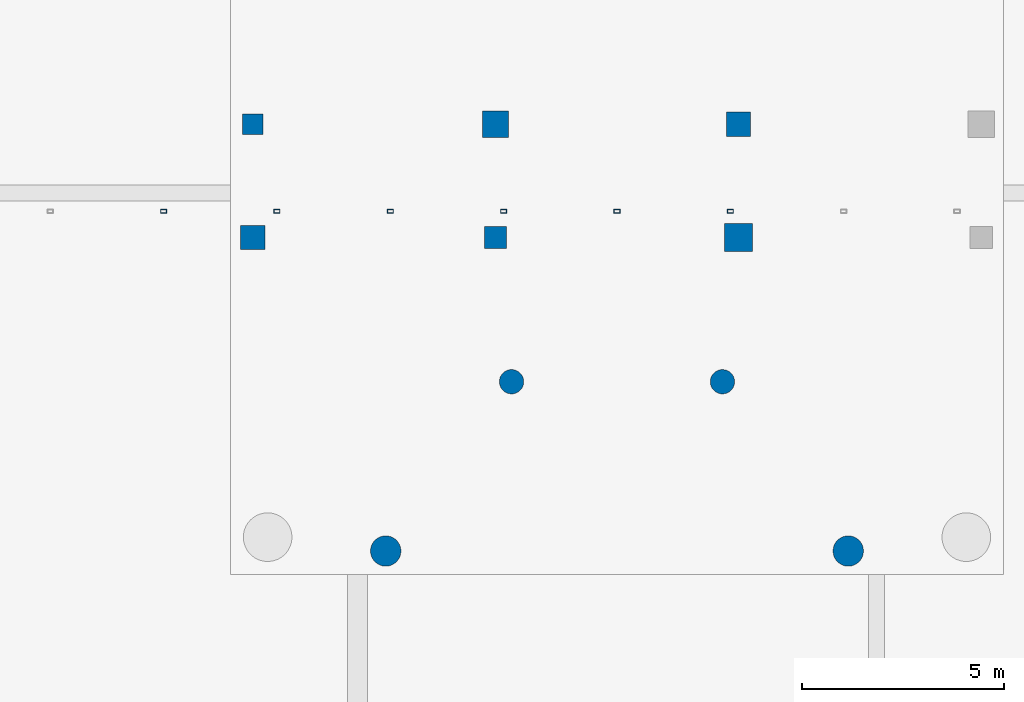
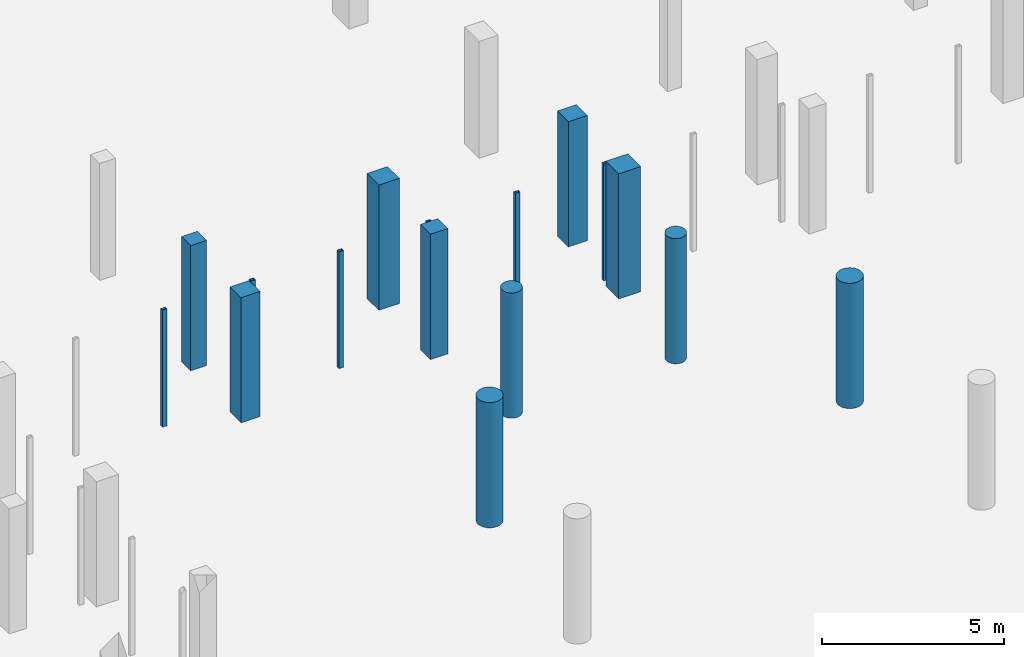
# One storey, part 18 of 34: 16 columns.
"""IFC4 building model written with IfcOpenShell, lengths in metres."""

from ifc_helpers import new_model, si_unit, direction, frame, origin, origin_2d, place, context, subcontext, project, spatial, rectangle, hollow_rectangle, circle, extrude, material, material_profile, profile_set, type_object, element, save


model = new_model("IFC4")

# Units and contexts
model_context = context("Model", 3, precision=1e-05, world=origin(), true_north=direction((0.0, 1.0)))
body_context = subcontext(model_context, "Body", "Model", "MODEL_VIEW")
ifc_project = project(units=[si_unit("LENGTHUNIT", "METRE"), si_unit("AREAUNIT", "SQUARE_METRE"), si_unit("VOLUMEUNIT", "CUBIC_METRE"), si_unit("PLANEANGLEUNIT", "RADIAN"), si_unit("MASSUNIT", "GRAM", prefix="KILO")], contexts=[model_context])

# Site, building, storey
site_placement = place(None, origin())
site = spatial("IfcSite", under=ifc_project, at=site_placement, CompositionType="ELEMENT")
building_placement = place(site_placement, origin())
building = spatial("IfcBuilding", under=site, at=building_placement, Name="Vinh Khe Railworks Police Headquarters", CompositionType="ELEMENT")
storey_placement = place(building_placement, frame((0.0, 0.0, -4.199951171875)))
storey = spatial("IfcBuildingStorey", under=building, at=storey_placement, Name="B1", CompositionType="ELEMENT", Elevation=-4.199951171875)

# Columns
ifc_material_1 = material(Name="Steel S355JR", Category="steel")
ifc_material_profile_1 = material_profile(ifc_material_1, hollow_rectangle(XDim=0.14990234375, YDim=0.10009765625, WallThickness=0.008056640625, at=origin_2d()), Name="RHS 150x100x8")
ifc_profile_set_1 = profile_set([ifc_material_profile_1], Name="Steel S355JR")
column_type_1 = type_object("IfcColumnType", Name="COL-QUILT-POST", PredefinedType="COLUMN", material=ifc_profile_set_1)
for number, where, z_axis, x_axis, name in (
    (1, (32.0, 59.449951171875, 0.0), (0.0, 0.0, 1.0), (1.0, 0.0, 0.0), "Patchwork Quilt Plinth Column N-3 (B1)"),
    (2, (34.800048828125, 59.449951171875, 0.0), (0.0, 0.0, 1.0), (1.0, 0.0, 0.0), "Patchwork Quilt Plinth Column N-4 (B1)"),
    (3, (37.60009765625, 59.449951171875, 0.0), (0.0, 0.0, 1.0), (1.0, 0.0, 0.0), "Patchwork Quilt Plinth Column N-5 (B1)"),
    (4, (40.39990234375, 59.449951171875, 0.0), (0.0, 0.0, 1.0), (1.0, 0.0, 0.0), "Patchwork Quilt Plinth Column N-6 (B1)"),
    (5, (43.199951171875, 59.449951171875, 0.0), (0.0, 0.0, 1.0), (1.0, 0.0, 0.0), "Patchwork Quilt Plinth Column N-7 (B1)"),
    (6, (46.0, 59.449951171875, 0.0), (0.0, 0.0, 1.0), (1.0, 0.0, 0.0), "Patchwork Quilt Plinth Column N-8 (B1)"),
):
    element("IfcColumn", number, at=place(storey_placement, frame(where, z_axis=z_axis, x_axis=x_axis)), inside=storey, type_object=column_type_1, Name=name, PredefinedType="COLUMN", context=body_context, shape_type="SweptSolid", body=[
        extrude(hollow_rectangle(XDim=0.14990234375, YDim=0.10009765625, WallThickness=0.008056640625, at=origin_2d()), origin(), (0.0, 0.0, 1.0), 3.919921875),
    ])
ifc_material_2 = material(Name="Concrete C40/50 (B40)", Category="concrete")
ifc_material_profile_2 = material_profile(ifc_material_2, rectangle(XDim=0.5, YDim=0.5, at=origin_2d()), Name="RC 500x500")
ifc_profile_set_2 = profile_set([ifc_material_profile_2], Name="Concrete C40/50 (B40)")
column_type_2 = type_object("IfcColumnType", Name="RC Column RC 500x500", PredefinedType="COLUMN", material=ifc_profile_set_2)
column_1_placement = place(storey_placement, frame((34.199951171875, 61.60009765625, 0.0), z_axis=(0.0, 0.0, 1.0), x_axis=(1.0, 0.0, 0.0)))
element("IfcColumn", 7, at=column_1_placement, inside=storey, type_object=column_type_2, Name="Column COL-B1-CC-07-0799", PredefinedType="COLUMN", context=body_context, shape_type="SweptSolid", body=[
    extrude(rectangle(XDim=0.5, YDim=0.5, at=origin_2d()), origin(), (0.0, 0.0, 1.0), 4.199951171875),
])
ifc_material_profile_3 = material_profile(ifc_material_2, rectangle(XDim=0.550048828125, YDim=0.550048828125, at=origin_2d()), Name="RC 550x550")
ifc_profile_set_3 = profile_set([ifc_material_profile_3], Name="Concrete C40/50 (B40)")
column_type_3 = type_object("IfcColumnType", Name="RC Column RC 550x550", PredefinedType="COLUMN", material=ifc_profile_set_3)
column_2_placement = place(storey_placement, frame((40.199951171875, 58.800048828125, 0.0), z_axis=(0.0, 0.0, 1.0), x_axis=(1.0, 0.0, 0.0)))
element("IfcColumn", 8, at=column_2_placement, inside=storey, type_object=column_type_3, Name="Column COL-B1-CC-06-0863", PredefinedType="COLUMN", context=body_context, shape_type="SweptSolid", body=[
    extrude(rectangle(XDim=0.550048828125, YDim=0.550048828125, at=origin_2d()), origin(), (0.0, 0.0, 1.0), 4.199951171875),
])
ifc_material_profile_4 = material_profile(ifc_material_2, rectangle(XDim=0.60009765625, YDim=0.60009765625, at=origin_2d()), Name="RC 600x600")
ifc_profile_set_4 = profile_set([ifc_material_profile_4], Name="Concrete C40/50 (B40)")
column_type_4 = type_object("IfcColumnType", Name="RC Column RC 600x600", PredefinedType="COLUMN", material=ifc_profile_set_4)
for number, where, z_axis, x_axis, name in (
    (9, (34.199951171875, 58.800048828125, 0.0), (0.0, 0.0, 1.0), (1.0, 0.0, 0.0), "Column COL-B1-CC-05-0794"),
    (10, (46.199951171875, 61.60009765625, 0.0), (0.0, 0.0, 1.0), (1.0, 0.0, 0.0), "Column COL-B1-CC-05-0917"),
):
    element("IfcColumn", number, at=place(storey_placement, frame(where, z_axis=z_axis, x_axis=x_axis)), inside=storey, type_object=column_type_4, Name=name, PredefinedType="COLUMN", context=body_context, shape_type="SweptSolid", body=[
        extrude(rectangle(XDim=0.60009765625, YDim=0.60009765625, at=origin_2d()), origin(), (0.0, 0.0, 1.0), 4.199951171875),
    ])
ifc_material_profile_5 = material_profile(ifc_material_2, rectangle(XDim=0.64990234375, YDim=0.64990234375, at=origin_2d()), Name="RC 650x650")
ifc_profile_set_5 = profile_set([ifc_material_profile_5], Name="Concrete C40/50 (B40)")
column_type_5 = type_object("IfcColumnType", Name="RC Column RC 650x650", PredefinedType="COLUMN", material=ifc_profile_set_5)
column_3_placement = place(storey_placement, frame((40.199951171875, 61.60009765625, 0.0), z_axis=(0.0, 0.0, 1.0), x_axis=(1.0, 0.0, 0.0)))
element("IfcColumn", 11, at=column_3_placement, inside=storey, type_object=column_type_5, Name="Column COL-B1-CC-04-0868", PredefinedType="COLUMN", context=body_context, shape_type="SweptSolid", body=[
    extrude(rectangle(XDim=0.64990234375, YDim=0.64990234375, at=origin_2d()), origin(), (0.0, 0.0, 1.0), 4.199951171875),
])
ifc_material_profile_6 = material_profile(ifc_material_2, rectangle(XDim=0.699951171875, YDim=0.699951171875, at=origin_2d()), Name="RC 700x700")
ifc_profile_set_6 = profile_set([ifc_material_profile_6], Name="Concrete C40/50 (B40)")
column_type_6 = type_object("IfcColumnType", Name="RC Column RC 700x700", PredefinedType="COLUMN", material=ifc_profile_set_6)
column_4_placement = place(storey_placement, frame((46.199951171875, 58.800048828125, 0.0), z_axis=(0.0, 0.0, 1.0), x_axis=(1.0, 0.0, 0.0)))
element("IfcColumn", 12, at=column_4_placement, inside=storey, type_object=column_type_6, Name="Column COL-B1-CC-03-0912", PredefinedType="COLUMN", context=body_context, shape_type="SweptSolid", body=[
    extrude(rectangle(XDim=0.699951171875, YDim=0.699951171875, at=origin_2d()), origin(), (0.0, 0.0, 1.0), 4.199951171875),
])
ifc_material_profile_7 = material_profile(ifc_material_2, circle(Radius=0.300048828125, at=origin_2d()), Name="RC-CIRC D600")
ifc_profile_set_7 = profile_set([ifc_material_profile_7], Name="Concrete C40/50 (B40)")
column_type_7 = type_object("IfcColumnType", Name="RC Column RC-CIRC D600", PredefinedType="COLUMN", material=ifc_profile_set_7)
for number, where, z_axis, x_axis, name in (
    (13, (40.594970703125, 55.237548828125, 0.0), (0.0, 0.0, 1.0), (-0.581981048437, 0.813202348287, 0.0), "Column COL-B1-CC-11-0883"),
    (14, (45.80517578125, 55.237548828125, 0.0), (0.0, 0.0, 1.0), (0.30552912238, 0.952182732136, 0.0), "Column COL-B1-CC-11-0893"),
):
    element("IfcColumn", number, at=place(storey_placement, frame(where, z_axis=z_axis, x_axis=x_axis)), inside=storey, type_object=column_type_7, Name=name, PredefinedType="COLUMN", context=body_context, shape_type="SweptSolid", body=[
        extrude(circle(Radius=0.300048828125, at=origin_2d()), origin(), (0.0, 0.0, 1.0), 4.199951171875),
    ])
ifc_material_profile_8 = material_profile(ifc_material_2, circle(Radius=0.375, at=origin_2d()), Name="RC-CIRC D750")
ifc_profile_set_8 = profile_set([ifc_material_profile_8], Name="Concrete C40/50 (B40)")
column_type_8 = type_object("IfcColumnType", Name="RC Column RC-CIRC D750", PredefinedType="COLUMN", material=ifc_profile_set_8)
for number, where, z_axis, x_axis, name in (
    (15, (37.48681640625, 51.055908203125, 0.0), (0.0, 0.0, 1.0), (-0.988148142789, 0.15350325046, 0.0), "Column COL-B1-CC-12-0844"),
    (16, (48.9130859375, 51.055908203125, 0.0), (0.0, 0.0, 1.0), (0.946480392435, 0.322761315426, 0.0), "Column COL-B1-CC-12-0944"),
):
    element("IfcColumn", number, at=place(storey_placement, frame(where, z_axis=z_axis, x_axis=x_axis)), inside=storey, type_object=column_type_8, Name=name, PredefinedType="COLUMN", context=body_context, shape_type="SweptSolid", body=[
        extrude(circle(Radius=0.375, at=origin_2d()), origin(), (0.0, 0.0, 1.0), 4.199951171875),
    ])

save(model, "model.ifc")
